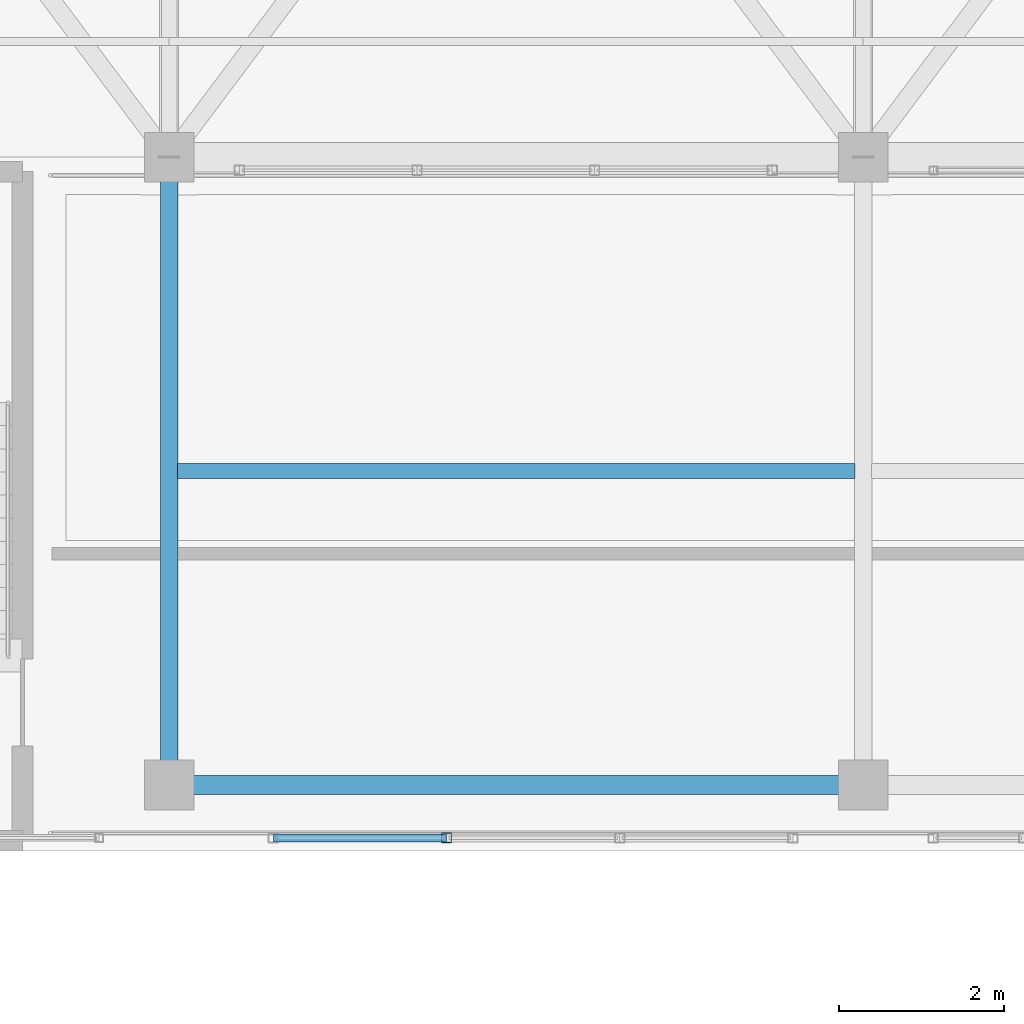
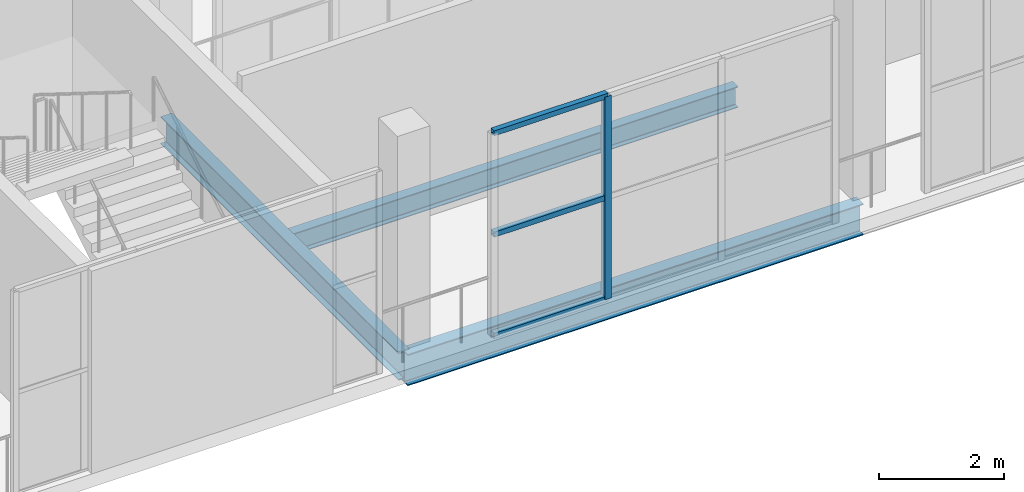
# One storey, part 72 of 217: 4 members, 3 beams, 1 element without a shape of its own.
"""IFC4 building model written with IfcOpenShell, lengths in metres."""

from ifc_helpers import new_model, si_unit, direction, frame, origin, origin_2d, place, context, subcontext, project, spatial, hollow_rectangle, i_section, extrude, material, material_profile, profile_set, type_object, element, aggregate, save


model = new_model("IFC4")

# Units and contexts
model_context = context("Model", 3, precision=1e-05, world=origin(), true_north=direction((0.0, 1.0)))
body_context = subcontext(model_context, "Body", "Model", "MODEL_VIEW")
ifc_project = project(units=[si_unit("LENGTHUNIT", "METRE"), si_unit("AREAUNIT", "SQUARE_METRE"), si_unit("VOLUMEUNIT", "CUBIC_METRE"), si_unit("PLANEANGLEUNIT", "RADIAN"), si_unit("MASSUNIT", "GRAM", prefix="KILO")], contexts=[model_context])

# Site, building, storey
site_placement = place(None, origin())
site = spatial("IfcSite", under=ifc_project, at=site_placement, CompositionType="ELEMENT")
building_placement = place(site_placement, origin())
building = spatial("IfcBuilding", under=site, at=building_placement, Name="Zuvorla Pavilion Media Centre", CompositionType="ELEMENT")
storey_placement = place(building_placement, frame((0.0, 0.0, 9.60009765625)))
storey = spatial("IfcBuildingStorey", under=building, at=storey_placement, Name="L02", CompositionType="ELEMENT", Elevation=9.60009765625)

# Beams
ifc_material_1 = material(Name="Steel S355", Category="steel")
ifc_material_profile_1 = material_profile(ifc_material_1, i_section(OverallWidth=0.1787109375, OverallDepth=0.409423828125, WebThickness=0.0087890625, FlangeThickness=0.014404296875, FilletRadius=0.01025390625, at=origin_2d()), Name="UB 406x178x67")
ifc_profile_set_1 = profile_set([ifc_material_profile_1], Name="Steel S355")
beam_type_1 = type_object("IfcBeamType", Name="BM-UB406", PredefinedType="JOIST", material=ifc_profile_set_1)
beam_1_placement = place(storey_placement, frame((100.5, 85.800048828125, -0.472900390625), z_axis=(1.0, 0.0, 0.0), x_axis=(0.0, 1.0, 0.0)))
element("IfcBeam", 1, at=beam_1_placement, inside=storey, type_object=beam_type_1, Name="L02 joist J02 1029", PredefinedType="JOIST", context=body_context, shape_type="SweptSolid", body=[
    extrude(i_section(OverallWidth=0.1787109375, OverallDepth=0.409423828125, WebThickness=0.0087890625, FlangeThickness=0.014404296875, FilletRadius=0.01025390625, at=origin_2d()), origin(), (0.0, 0.0, 1.0), 8.199951171875),
])
ifc_material_profile_2 = material_profile(ifc_material_1, i_section(OverallWidth=0.2099609375, OverallDepth=0.53662109375, WebThickness=0.0107421875, FlangeThickness=0.017333984375, FilletRadius=0.0126953125, at=origin_2d()), Name="UB 533x210x101")
ifc_profile_set_2 = profile_set([ifc_material_profile_2], Name="Steel S355")
beam_type_2 = type_object("IfcBeamType", Name="BM-UB533", PredefinedType="BEAM", material=ifc_profile_set_2)
beam_2_placement = place(storey_placement, frame((100.39990234375, 82.0, -0.536376953125), z_axis=(0.0, 1.0, 0.0), x_axis=(-1.0, 0.0, 0.0)))
element("IfcBeam", 2, at=beam_2_placement, inside=storey, type_object=beam_type_2, Name="L02 beam B08 953", PredefinedType="BEAM", context=body_context, shape_type="SweptSolid", body=[
    extrude(i_section(OverallWidth=0.2099609375, OverallDepth=0.53662109375, WebThickness=0.0107421875, FlangeThickness=0.017333984375, FilletRadius=0.0126953125, at=origin_2d()), origin(), (0.0, 0.0, 1.0), 7.60009765625),
])
ifc_material_profile_3 = material_profile(ifc_material_1, i_section(OverallWidth=0.22900390625, OverallDepth=0.6123046875, WebThickness=0.011962890625, FlangeThickness=0.01953125, FilletRadius=0.0126953125, at=origin_2d()), Name="UB 610x229x125")
ifc_profile_set_3 = profile_set([ifc_material_profile_3], Name="Steel S355")
beam_type_3 = type_object("IfcBeamType", Name="BM-UB610", PredefinedType="BEAM", material=ifc_profile_set_3)
beam_3_placement = place(storey_placement, frame((100.39990234375, 82.0, -0.57421875), z_axis=(1.0, 0.0, 0.0), x_axis=(0.0, 1.0, 0.0)))
element("IfcBeam", 3, at=beam_3_placement, inside=storey, type_object=beam_type_3, Name="L02 beam B07 868", PredefinedType="BEAM", context=body_context, shape_type="SweptSolid", body=[
    extrude(i_section(OverallWidth=0.22900390625, OverallDepth=0.6123046875, WebThickness=0.011962890625, FlangeThickness=0.01953125, FilletRadius=0.0126953125, at=origin_2d()), origin(), (0.0, 0.0, 1.0), 8.400146484375),
])

# Curtain wall, members
ifc_material_2 = material(Name="Unitised anodised aluminium and solar glass curtain wall", Category="aluminium")
curtain_wall_type = type_object("IfcCurtainWallType", Name="CW-SYS-12", PredefinedType="USERDEFINED", material=ifc_material_2)
curtain_wall_placement = place(storey_placement, origin())
curtain_wall = element("IfcCurtainWall", 4, at=curtain_wall_placement, inside=storey, type_object=curtain_wall_type, Name="L02 curtain wall CW12 74", ObjectType="CURTAIN WALL", PredefinedType="USERDEFINED")
ifc_material_3 = material(Name="Anodised aluminium 6063-T6", Category="aluminium")
ifc_material_profile_4 = material_profile(ifc_material_3, hollow_rectangle(XDim=0.1201171875, YDim=0.1201171875, WallThickness=0.0048828125, at=origin_2d()), Name="ALU MULL 120x120")
ifc_profile_set_4 = profile_set([ifc_material_profile_4], Name="Anodised aluminium 6063-T6")
member_type_1 = type_object("IfcMemberType", Name="CW-MULL-120", PredefinedType="MULLION", material=ifc_profile_set_4)
member_1_placement = place(storey_placement, frame((103.756591796875, 81.360107421875, 0.0), z_axis=(0.0, 0.0, 1.0), x_axis=(1.0, 0.0, 0.0)))
member_1 = element("IfcMember", 5, at=member_1_placement, type_object=member_type_1, Name="CW12 mullion 3", PredefinedType="MULLION", context=body_context, shape_type="SweptSolid", body=[
    extrude(hollow_rectangle(XDim=0.1201171875, YDim=0.1201171875, WallThickness=0.0048828125, at=origin_2d()), origin(), (0.0, 0.0, 1.0), 3.949951171875),
])
ifc_material_profile_5 = material_profile(ifc_material_3, hollow_rectangle(XDim=0.10009765625, YDim=0.10009765625, WallThickness=0.00439453125, at=origin_2d()), Name="ALU TRAN 100x100")
ifc_profile_set_5 = profile_set([ifc_material_profile_5], Name="Anodised aluminium 6063-T6")
member_type_2 = type_object("IfcMemberType", Name="CW-TRAN-100", PredefinedType="USERDEFINED", material=ifc_profile_set_5)
member_2_placement = place(storey_placement, frame((103.756591796875, 81.360107421875, 0.0), z_axis=(-1.0, 0.0, 0.0), x_axis=(0.0, -1.0, 0.0)))
member_2 = element("IfcMember", 6, at=member_2_placement, type_object=member_type_2, Name="CW12 transom 3.1", ObjectType="TRANSOM", PredefinedType="USERDEFINED", context=body_context, shape_type="SweptSolid", body=[
    extrude(hollow_rectangle(XDim=0.10009765625, YDim=0.10009765625, WallThickness=0.00439453125, at=origin_2d()), origin(), (0.0, 0.0, 1.0), 2.0966796875),
])
member_3_placement = place(storey_placement, frame((103.756591796875, 81.360107421875, 1.974853515625), z_axis=(-1.0, 0.0, 0.0), x_axis=(0.0, -1.0, 0.0)))
member_3 = element("IfcMember", 7, at=member_3_placement, type_object=member_type_2, Name="CW12 transom 3.2", ObjectType="TRANSOM", PredefinedType="USERDEFINED", context=body_context, shape_type="SweptSolid", body=[
    extrude(hollow_rectangle(XDim=0.10009765625, YDim=0.10009765625, WallThickness=0.00439453125, at=origin_2d()), origin(), (0.0, 0.0, 1.0), 2.0966796875),
])
member_4_placement = place(storey_placement, frame((103.756591796875, 81.360107421875, 3.949951171875), z_axis=(-1.0, 0.0, 0.0), x_axis=(0.0, -1.0, 0.0)))
member_4 = element("IfcMember", 8, at=member_4_placement, type_object=member_type_2, Name="CW12 transom 3.3", ObjectType="TRANSOM", PredefinedType="USERDEFINED", context=body_context, shape_type="SweptSolid", body=[
    extrude(hollow_rectangle(XDim=0.10009765625, YDim=0.10009765625, WallThickness=0.00439453125, at=origin_2d()), origin(), (0.0, 0.0, 1.0), 2.0966796875),
])
aggregate(curtain_wall, [member_1, member_2, member_3, member_4])

save(model, "model.ifc")
